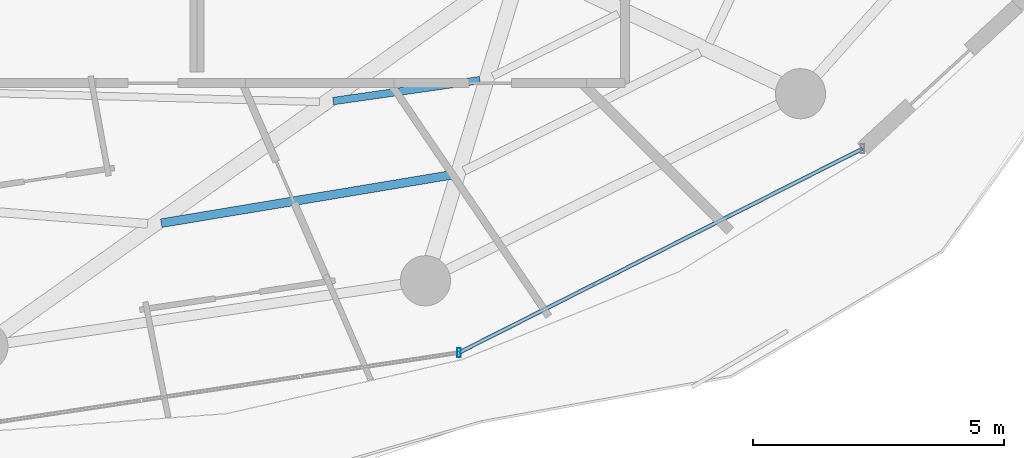
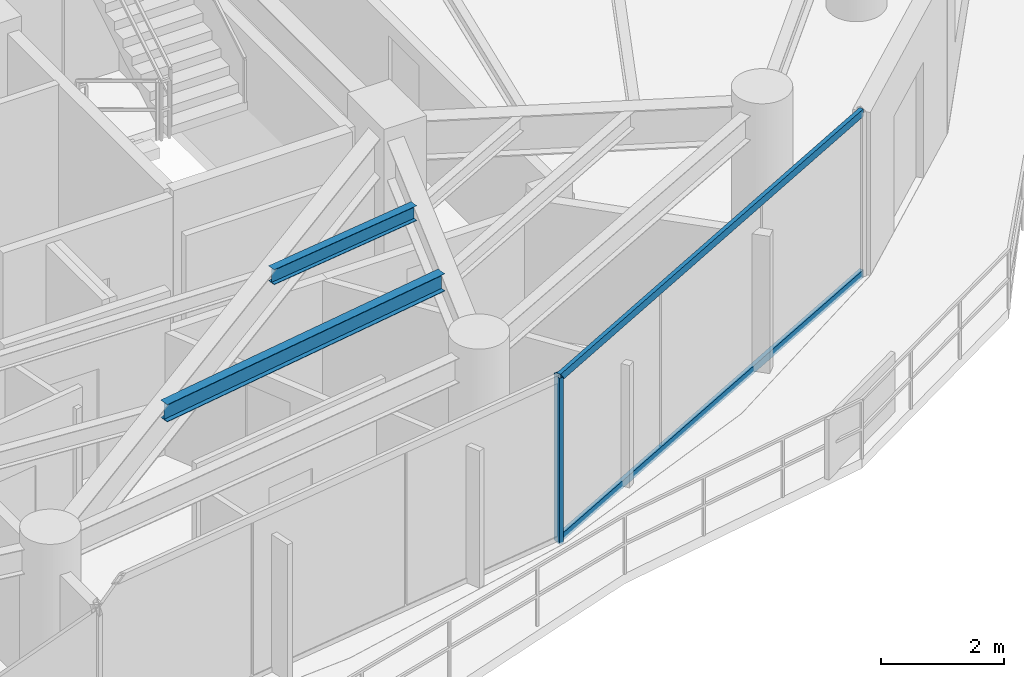
# One storey, part 11 of 31: 3 members, 2 beams, 1 element without a shape of its own.
"""IFC4 building model written with IfcOpenShell, lengths in metres."""

import ifcopenshell
import ifcopenshell.guid

model = None  # the IFC model being written
_history = None  # IfcOwnerHistory: only IFC2X3 demands one
_inside = {}  # id of a spatial element -> (the spatial element, [elements in it])
_under = {}  # id of a project, library or spatial element -> (it, [spatial elements below it])
_declared = {}  # id of a project -> (the project, [libraries it declares])
_typed = {}  # id of a type object -> (the type object, [elements of that type])
_made_of = {}  # id of a material, layer set ... -> (it, [elements and type objects made of it])


def new_model(schema):
    """Start an empty IFC model of exactly this schema.

    Asked for "IFC4X3", IfcOpenShell would pick the latest addendum, in which some entities
    have other attributes; the version numbers below select the first issue.
    IFC2X3 requires an IfcOwnerHistory on every rooted entity: one is made here for all.
    """
    global model, _history
    if schema == "IFC4X3":
        model = ifcopenshell.file(schema_version=(4, 3, 0, 0))
    else:
        model = ifcopenshell.file(schema=schema)
    _inside.clear()
    _under.clear()
    _declared.clear()
    _typed.clear()
    _made_of.clear()
    _history = None
    if model.schema == "IFC2X3":
        org = make("IfcOrganization", Name="unknown")
        user = make(
            "IfcPersonAndOrganization",
            ThePerson=make("IfcPerson", FamilyName="unknown"),
            TheOrganization=org,
        )
        app = make(
            "IfcApplication",
            ApplicationDeveloper=org,
            Version="unknown",
            ApplicationFullName="unknown",
            ApplicationIdentifier="unknown",
        )
        _history = make(
            "IfcOwnerHistory",
            OwningUser=user,
            OwningApplication=app,
            ChangeAction="ADDED",
            CreationDate=0,
        )
    return model


def make(cls, **values):
    """One entity of the class cls with the attributes given. An attribute that is None is left unset."""
    return model.create_entity(
        cls, **{name: value for name, value in values.items() if value is not None}
    )


def rooted(cls, **values):
    """An entity with a GlobalId (a new one), such as an element, a storey or a relation."""
    return make(cls, GlobalId=ifcopenshell.guid.new(), OwnerHistory=_history, **values)


def si_unit(unit_type, name, prefix=None):
    """IfcSIUnit, for example si_unit("LENGTHUNIT", "METRE", prefix="MILLI")."""
    return make("IfcSIUnit", UnitType=unit_type, Prefix=prefix, Name=name)


def assignment(units):
    """IfcUnitAssignment: the units of a project."""
    return None if units is None else make("IfcUnitAssignment", Units=units)


def point(xyz):
    """IfcCartesianPoint."""
    return None if xyz is None else make("IfcCartesianPoint", Coordinates=xyz)


def direction(xyz):
    """IfcDirection."""
    return None if xyz is None else make("IfcDirection", DirectionRatios=xyz)


def frame(location, z_axis=None, x_axis=None):
    """IfcAxis2Placement3D, a coordinate frame: its origin and axes. An axis left out is left unset."""
    return make(
        "IfcAxis2Placement3D",
        Location=point(location),
        Axis=direction(z_axis),
        RefDirection=direction(x_axis),
    )


def frame_2d(location, x_axis=None):
    """IfcAxis2Placement2D, a coordinate frame in the plane: its origin and x axis."""
    return make(
        "IfcAxis2Placement2D", Location=point(location), RefDirection=direction(x_axis)
    )


def origin():
    """The frame at (0, 0, 0) with its axes left unset."""
    return frame((0.0, 0.0, 0.0))


def origin_2d():
    """The frame at (0, 0) in the plane with its x axis left unset."""
    return frame_2d((0.0, 0.0))


def place(relative_to, where):
    """IfcLocalPlacement: puts the frame where relative to a parent placement (None: the world)."""
    return make(
        "IfcLocalPlacement", PlacementRelTo=relative_to, RelativePlacement=where
    )


def context(
    kind, dimensions, precision=None, world=None, true_north=None, identifier=None
):
    """IfcGeometricRepresentationContext, for example the 3D "Model" context."""
    return make(
        "IfcGeometricRepresentationContext",
        ContextIdentifier=identifier,
        ContextType=kind,
        CoordinateSpaceDimension=dimensions,
        Precision=precision,
        WorldCoordinateSystem=world,
        TrueNorth=true_north,
    )


def subcontext(parent, identifier, kind, view, scale=None):
    """IfcGeometricRepresentationSubContext, for example "Body" below "Model"."""
    return make(
        "IfcGeometricRepresentationSubContext",
        ContextIdentifier=identifier,
        ContextType=kind,
        ParentContext=parent,
        TargetScale=scale,
        TargetView=view,
    )


def project(units=None, contexts=None):
    """IfcProject with its units and contexts."""
    return rooted(
        "IfcProject",
        Name="project",
        RepresentationContexts=contexts,
        UnitsInContext=assignment(units),
    )


def spatial(cls, under=None, at=None, **own):
    """A site, building, storey or space (cls), placed at a placement, below another one or the project."""
    s = rooted(cls, ObjectPlacement=at, **own)
    if under is not None:
        _under.setdefault(under.id(), (under, []))[1].append(s)
    return s


def profile(cls, at=None, kind="AREA", **sizes):
    """A parametric profile (cls). Its sizes go by their IFC names, for example OverallWidth=200.0."""
    return make(cls, ProfileType=kind, Position=at, **sizes)


def hollow_rectangle(**sizes):
    """IfcRectangleHollowProfileDef."""
    return profile("IfcRectangleHollowProfileDef", **sizes)


def i_section(**sizes):
    """IfcIShapeProfileDef."""
    return profile("IfcIShapeProfileDef", **sizes)


def extrude(swept, where, along, depth):
    """IfcExtrudedAreaSolid: the profile swept, set in the frame where, extruded along a direction by depth."""
    return make(
        "IfcExtrudedAreaSolid",
        SweptArea=swept,
        Position=where,
        ExtrudedDirection=direction(along),
        Depth=depth,
    )


def shape(context_of_items, identifier, shape_type, items):
    """IfcShapeRepresentation: the items that make up one representation, for example the "Body"."""
    return make(
        "IfcShapeRepresentation",
        ContextOfItems=context_of_items,
        RepresentationIdentifier=identifier,
        RepresentationType=shape_type,
        Items=items,
    )


def material(Name=None, Category=None):
    """IfcMaterial."""
    return make("IfcMaterial", Name=Name, Category=Category)


def material_profile(
    of_material, cross_section, Name=None, Category=None, Priority=None
):
    """IfcMaterialProfile: a cross section and its material."""
    return make(
        "IfcMaterialProfile",
        Name=Name,
        Material=of_material,
        Profile=cross_section,
        Priority=Priority,
        Category=Category,
    )


def profile_set(profiles, Name=None, composite=None):
    """IfcMaterialProfileSet."""
    return make(
        "IfcMaterialProfileSet",
        Name=Name,
        MaterialProfiles=profiles,
        CompositeProfile=composite,
    )


def made_of(thing, what):
    """Note that an element or type object is made of a material, layer set ...; save() writes the relation."""
    if what is not None:
        _made_of.setdefault(what.id(), (what, []))[1].append(thing)
    return thing


def type_object(cls, material=None, **own):
    """A type object (cls), such as IfcWallType, which elements share."""
    return made_of(rooted(cls, **own), material)


def element(
    cls,
    number,
    at=None,
    inside=None,
    cuts=None,
    type_object=None,
    material=None,
    context=None,
    identifier="Body",
    shape_type=None,
    held_by="IfcProductDefinitionShape",
    body=None,
    shapes=None,
    **own,
):
    """One element of the class cls, such as IfcWall. Its Tag is "e" and its number.

    at: its placement. inside: the storey or other place that contains it. cuts: it is an
    opening in that element (IfcRelVoidsElement). A single representation is given by context,
    identifier, shape_type and body (its items); several are given by shapes. held_by: the class
    of the entity that holds the representations. save() writes the other relations.
    """
    e = rooted(cls, Tag="e%d" % number, ObjectPlacement=at, **own)
    if body is not None:
        shapes = [shape(context, identifier, shape_type, body)]
    if shapes is not None:
        e.Representation = make(held_by, Representations=shapes)
    if inside is not None:
        _inside.setdefault(inside.id(), (inside, []))[1].append(e)
    if cuts is not None:
        rooted(
            "IfcRelVoidsElement", RelatingBuildingElement=cuts, RelatedOpeningElement=e
        )
    if type_object is not None:
        _typed.setdefault(type_object.id(), (type_object, []))[1].append(e)
    return made_of(e, material)


def aggregate(whole, parts):
    """IfcRelAggregates: a whole, such as a stair, and the parts it consists of."""
    return rooted("IfcRelAggregates", RelatingObject=whole, RelatedObjects=parts)


def save(model, path):
    """Write the relations noted so far, then the file.

    IfcRelAggregates (storeys below a building ...), IfcRelContainedInSpatialStructure (elements
    in a storey), IfcRelDefinesByType, IfcRelAssociatesMaterial and IfcRelDeclares: one each for
    every whole, place, type object, material and project.
    """
    for whole, parts in _under.values():
        aggregate(whole, parts)
    for where, things in _inside.values():
        rooted(
            "IfcRelContainedInSpatialStructure",
            RelatedElements=things,
            RelatingStructure=where,
        )
    for kind, things in _typed.values():
        rooted("IfcRelDefinesByType", RelatedObjects=things, RelatingType=kind)
    for what, things in _made_of.values():
        rooted("IfcRelAssociatesMaterial", RelatedObjects=things, RelatingMaterial=what)
    for by, libraries in _declared.values():
        rooted("IfcRelDeclares", RelatingContext=by, RelatedDefinitions=libraries)
    model.write(path)


model = new_model("IFC4")

# Units and contexts
model_context = context("Model", 3, precision=1e-05, world=origin(), true_north=direction((0.0, 1.0)))
body_context = subcontext(model_context, "Body", "Model", "MODEL_VIEW")
ifc_project = project(units=[si_unit("LENGTHUNIT", "METRE"), si_unit("AREAUNIT", "SQUARE_METRE"), si_unit("VOLUMEUNIT", "CUBIC_METRE"), si_unit("PLANEANGLEUNIT", "RADIAN"), si_unit("MASSUNIT", "GRAM", prefix="KILO")], contexts=[model_context])

# Site, building, storey
site_placement = place(None, origin())
site = spatial("IfcSite", under=ifc_project, at=site_placement, CompositionType="ELEMENT")
building_placement = place(site_placement, origin())
building = spatial("IfcBuilding", under=site, at=building_placement, Name="Vorneva Point Tower", CompositionType="ELEMENT")
storey_placement = place(building_placement, frame((0.0, 0.0, 129.10009765625)))
storey = spatial("IfcBuildingStorey", under=building, at=storey_placement, Name="L34", CompositionType="ELEMENT", Elevation=129.10009765625)

# Beams
ifc_material_1 = material(Name="Steel S355", Category="steel")
ifc_material_profile_1 = material_profile(ifc_material_1, i_section(OverallWidth=0.14892578125, OverallDepth=0.298095703125, WebThickness=0.005615234375, FlangeThickness=0.008056640625, at=origin_2d()), Name="30B1")
ifc_profile_set_1 = profile_set([ifc_material_profile_1], Name="Steel S355")
beam_type_1 = type_object("IfcBeamType", Name="BM-JST-30B1", PredefinedType="JOIST", material=ifc_profile_set_1)
beam_1_placement = place(storey_placement, frame((44.982421875, 13.691162109375, 3.0908203125), z_axis=(0.989997374547, 0.1410857838, 0.0), x_axis=(-0.1410857838, 0.989997374547, 0.0)))
element("IfcBeam", 1, at=beam_1_placement, inside=storey, type_object=beam_type_1, Name="L34 Secondary Floor Beam 2.13", PredefinedType="JOIST", context=body_context, shape_type="SweptSolid", body=[
    extrude(i_section(OverallWidth=0.14892578125, OverallDepth=0.298095703125, WebThickness=0.005615234375, FlangeThickness=0.008056640625, at=origin_2d()), origin(), (0.0, 0.0, 1.0), 2.953857421875),
])
ifc_material_profile_2 = material_profile(ifc_material_1, i_section(OverallWidth=0.174072265625, OverallDepth=0.345947265625, WebThickness=0.006103515625, FlangeThickness=0.009033203125, at=origin_2d()), Name="35B1")
ifc_profile_set_2 = profile_set([ifc_material_profile_2], Name="Steel S355")
beam_type_2 = type_object("IfcBeamType", Name="BM-SEC-35B1", PredefinedType="BEAM", material=ifc_profile_set_2)
beam_2_placement = place(storey_placement, frame((41.556396484375, 11.256591796875, 3.06689453125), z_axis=(0.986432205362, 0.164169132986, 0.0), x_axis=(-0.164169132986, 0.986432205362, 0.0)))
element("IfcBeam", 2, at=beam_2_placement, inside=storey, type_object=beam_type_2, Name="L34 Secondary Floor Beam 1.13", PredefinedType="BEAM", context=body_context, shape_type="SweptSolid", body=[
    extrude(i_section(OverallWidth=0.174072265625, OverallDepth=0.345947265625, WebThickness=0.006103515625, FlangeThickness=0.009033203125, at=origin_2d()), origin(), (0.0, 0.0, 1.0), 5.856201171875),
])

# Curtain wall, members
ifc_material_2 = material(Name="Pale anodised aluminium", Category="aluminium")
curtain_wall_type = type_object("IfcCurtainWallType", Name="CW-RES-SYS", PredefinedType="NOTDEFINED", material=ifc_material_2)
curtain_wall_placement = place(storey_placement, origin())
curtain_wall = element("IfcCurtainWall", 3, at=curtain_wall_placement, inside=storey, type_object=curtain_wall_type, Name="L34 Unitised Curtain Wall CW-L34-R04", PredefinedType="NOTDEFINED")
ifc_material_profile_3 = material_profile(ifc_material_2, hollow_rectangle(XDim=0.074951171875, YDim=0.179931640625, WallThickness=0.00390625, at=origin_2d()), Name="AL-MUL 180x75x4")
ifc_profile_set_3 = profile_set([ifc_material_profile_3], Name="Pale anodised aluminium")
member_type_1 = type_object("IfcMemberType", Name="CW-MUL-180", PredefinedType="MULLION", material=ifc_profile_set_3)
member_1_placement = place(storey_placement, frame((47.490478515625, 8.67724609375, -0.0400390625), z_axis=(0.0, 0.0, 1.0), x_axis=(1.0, 0.0, 0.0)))
member_1 = element("IfcMember", 4, at=member_1_placement, type_object=member_type_1, Name="CW-L34-R04 Mullion 04", PredefinedType="MULLION", context=body_context, shape_type="SweptSolid", body=[
    extrude(hollow_rectangle(XDim=0.074951171875, YDim=0.179931640625, WallThickness=0.00390625, at=origin_2d()), origin(), (0.0, 0.0, 1.0), 3.31005859375),
])
ifc_material_profile_4 = material_profile(ifc_material_2, hollow_rectangle(XDim=0.074951171875, YDim=0.14990234375, WallThickness=0.00390625, at=origin_2d()), Name="AL-TRN 150x75x4")
ifc_profile_set_4 = profile_set([ifc_material_profile_4], Name="Pale anodised aluminium")
member_type_2 = type_object("IfcMemberType", Name="CW-TRN-150", PredefinedType="USERDEFINED", material=ifc_profile_set_4)
member_2_placement = place(storey_placement, frame((47.490478515625, 8.67724609375, 0.02001953125), z_axis=(0.892572392955, 0.450904117673, 0.0), x_axis=(-0.450904117673, 0.892572392955, 0.0)))
member_2 = element("IfcMember", 5, at=member_2_placement, type_object=member_type_2, Name="CW-L34-R04 Transom 04.1", ObjectType="TRANSOM", PredefinedType="USERDEFINED", context=body_context, shape_type="SweptSolid", body=[
    extrude(hollow_rectangle(XDim=0.074951171875, YDim=0.14990234375, WallThickness=0.00390625, at=origin_2d()), origin(), (0.0, 0.0, 1.0), 9.013916015625),
])
member_3_placement = place(storey_placement, frame((47.490478515625, 8.67724609375, 3.219970703125), z_axis=(0.892572392955, 0.450904117673, 0.0), x_axis=(-0.450904117673, 0.892572392955, 0.0)))
member_3 = element("IfcMember", 6, at=member_3_placement, type_object=member_type_2, Name="CW-L34-R04 Transom 04.2", ObjectType="TRANSOM", PredefinedType="USERDEFINED", context=body_context, shape_type="SweptSolid", body=[
    extrude(hollow_rectangle(XDim=0.074951171875, YDim=0.14990234375, WallThickness=0.00390625, at=origin_2d()), origin(), (0.0, 0.0, 1.0), 9.013916015625),
])
aggregate(curtain_wall, [member_1, member_2, member_3])

save(model, "model.ifc")
